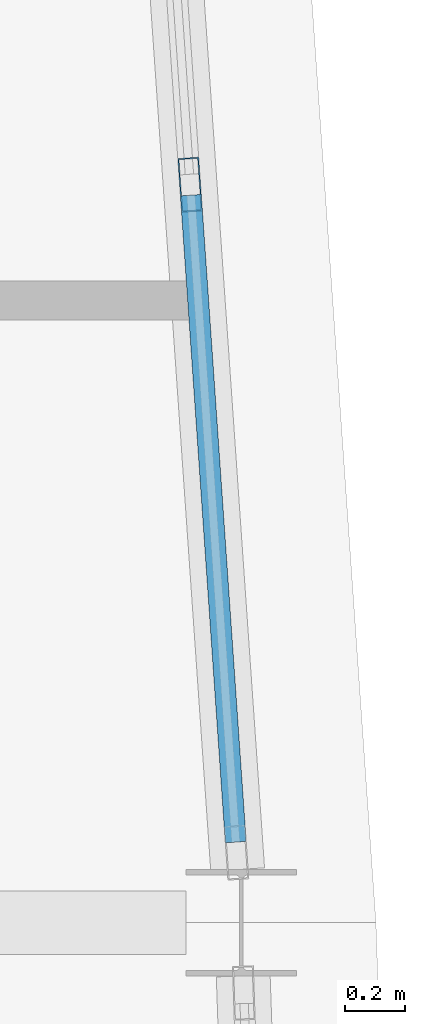
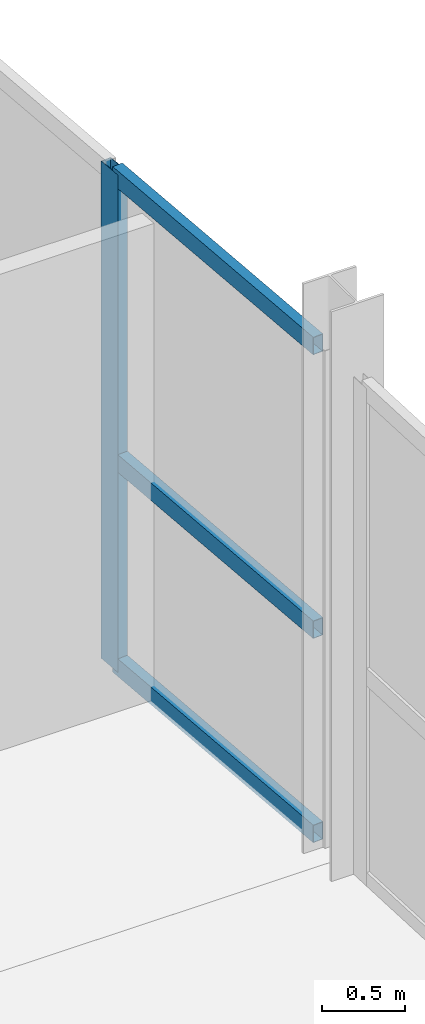
# One storey, part 5 of 17: 4 members, 1 element without a shape of its own.
"""IFC4 building model written with IfcOpenShell, lengths in metres."""

from ifc_helpers import new_model, si_unit, direction, frame, origin, origin_2d, place, context, subcontext, project, spatial, hollow_rectangle, extrude, material, layer, layer_set, material_profile, profile_set, type_object, element, aggregate, save


model = new_model("IFC4")

# Units and contexts
model_context = context("Model", 3, precision=1e-05, world=origin(), true_north=direction((0.0, 1.0)))
body_context = subcontext(model_context, "Body", "Model", "MODEL_VIEW")
ifc_project = project(units=[si_unit("LENGTHUNIT", "METRE"), si_unit("AREAUNIT", "SQUARE_METRE"), si_unit("VOLUMEUNIT", "CUBIC_METRE"), si_unit("PLANEANGLEUNIT", "RADIAN"), si_unit("MASSUNIT", "GRAM", prefix="KILO")], contexts=[model_context])

# Site, building, storey
site_placement = place(None, origin())
site = spatial("IfcSite", under=ifc_project, at=site_placement, CompositionType="ELEMENT")
building_placement = place(site_placement, origin())
building = spatial("IfcBuilding", under=site, at=building_placement, Name="Quillay Park Conservatory", CompositionType="ELEMENT")
storey_placement = place(building_placement, frame((0.0, 0.0, 56.10009765625)))
storey = spatial("IfcBuildingStorey", under=building, at=storey_placement, Name="L13", CompositionType="ELEMENT", Elevation=56.10009765625)

# Curtain wall, members
ifc_material_1 = material(Name="Thermally Broken Anodised Aluminium 6063-T6", Category="aluminium")
ifc_layer = layer(ifc_material_1, 0.179931640625)
ifc_layer_set = layer_set([ifc_layer], Name="UNITISED CURTAIN WALL TOWER (Thermally Broken Anodised Aluminium 6063-T6)")
curtain_wall_type = type_object("IfcCurtainWallType", Name="UNITISED CURTAIN WALL TOWER", PredefinedType="USERDEFINED", material=ifc_layer_set)
curtain_wall_placement = place(storey_placement, origin())
curtain_wall = element("IfcCurtainWall", 1, at=curtain_wall_placement, inside=storey, type_object=curtain_wall_type, Name="L13 Unitised Curtain Wall 126", ObjectType="UNITISED CURTAIN WALL", PredefinedType="USERDEFINED")
ifc_material_2 = material(Name="Thermally Broken Anodised Aluminium 6063-T6", Category="aluminium")
ifc_material_profile_1 = material_profile(ifc_material_2, hollow_rectangle(XDim=0.070068359375, YDim=0.179931640625, WallThickness=0.00390625, at=origin_2d()), Name="AL70x180x4")
ifc_profile_set_1 = profile_set([ifc_material_profile_1], Name="Thermally Broken Anodised Aluminium 6063-T6")
member_type_1 = type_object("IfcMemberType", Name="CURTAIN WALL MULLION 70 X180", PredefinedType="MULLION", material=ifc_profile_set_1)
member_1_placement = place(storey_placement, frame((24.878662109375, 102.06640625, 0.0), z_axis=(0.0, 0.0, 1.0), x_axis=(0.99759835015, 0.069264217159, 0.0)))
member_1 = element("IfcMember", 2, at=member_1_placement, type_object=member_type_1, Name="CW-T1 mullion 3", PredefinedType="MULLION", context=body_context, shape_type="SweptSolid", body=[
    extrude(hollow_rectangle(XDim=0.070068359375, YDim=0.179931640625, WallThickness=0.00390625, at=origin_2d()), origin(), (0.0, 0.0, 1.0), 3.6669921875),
])
ifc_material_3 = material(Name="Thermally Broken Anodised Aluminium 6063-T6", Category="aluminium")
ifc_material_profile_2 = material_profile(ifc_material_3, hollow_rectangle(XDim=0.070068359375, YDim=0.1298828125, WallThickness=0.003173828125, at=origin_2d()), Name="AL70x130x3.2")
ifc_profile_set_2 = profile_set([ifc_material_profile_2], Name="Thermally Broken Anodised Aluminium 6063-T6")
member_type_2 = type_object("IfcMemberType", Name="CURTAIN WALL TRANSOM 70 X130", PredefinedType="USERDEFINED", material=ifc_profile_set_2)
member_2_placement = place(storey_placement, frame((24.881103515625, 102.031494140625, 0.034912109375), z_axis=(0.069277598678, -0.997597420968, 0.0), x_axis=(0.997597420968, 0.069277598678, 0.0)))
member_2 = element("IfcMember", 3, at=member_2_placement, type_object=member_type_2, Name="CW-T1 transom 3.1", ObjectType="TRANSOM", PredefinedType="USERDEFINED", context=body_context, shape_type="SweptSolid", body=[
    extrude(hollow_rectangle(XDim=0.070068359375, YDim=0.1298828125, WallThickness=0.003173828125, at=origin_2d()), origin(), (0.0, 0.0, 1.0), 2.167236328125),
])
member_3_placement = place(storey_placement, frame((24.881103515625, 102.031494140625, 1.5400390625), z_axis=(0.069277598678, -0.997597420968, 0.0), x_axis=(0.997597420968, 0.069277598678, 0.0)))
member_3 = element("IfcMember", 4, at=member_3_placement, type_object=member_type_2, Name="CW-T1 transom 3.2", ObjectType="TRANSOM", PredefinedType="USERDEFINED", context=body_context, shape_type="SweptSolid", body=[
    extrude(hollow_rectangle(XDim=0.070068359375, YDim=0.1298828125, WallThickness=0.003173828125, at=origin_2d()), origin(), (0.0, 0.0, 1.0), 2.167236328125),
])
member_4_placement = place(storey_placement, frame((24.881103515625, 102.031494140625, 3.6318359375), z_axis=(0.069277598678, -0.997597420968, 0.0), x_axis=(0.997597420968, 0.069277598678, 0.0)))
member_4 = element("IfcMember", 5, at=member_4_placement, type_object=member_type_2, Name="CW-T1 transom 3.3", ObjectType="TRANSOM", PredefinedType="USERDEFINED", context=body_context, shape_type="SweptSolid", body=[
    extrude(hollow_rectangle(XDim=0.070068359375, YDim=0.1298828125, WallThickness=0.003173828125, at=origin_2d()), origin(), (0.0, 0.0, 1.0), 2.167236328125),
])
aggregate(curtain_wall, [member_1, member_2, member_3, member_4])

save(model, "model.ifc")
